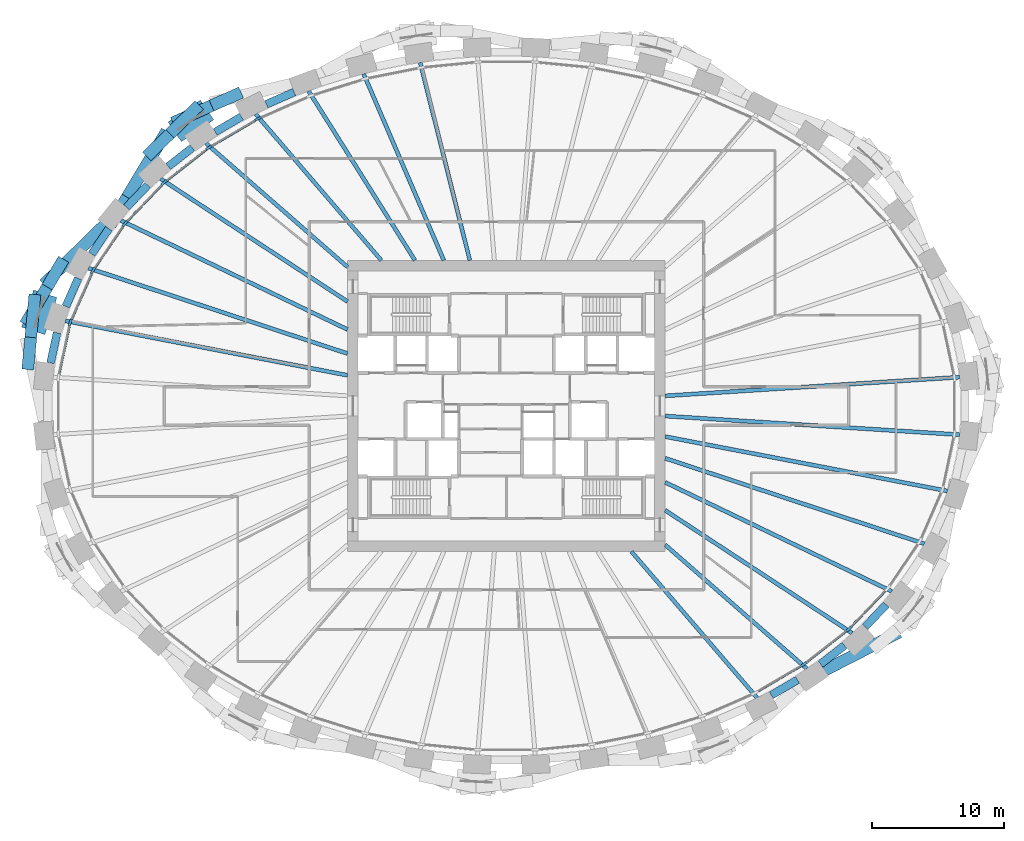
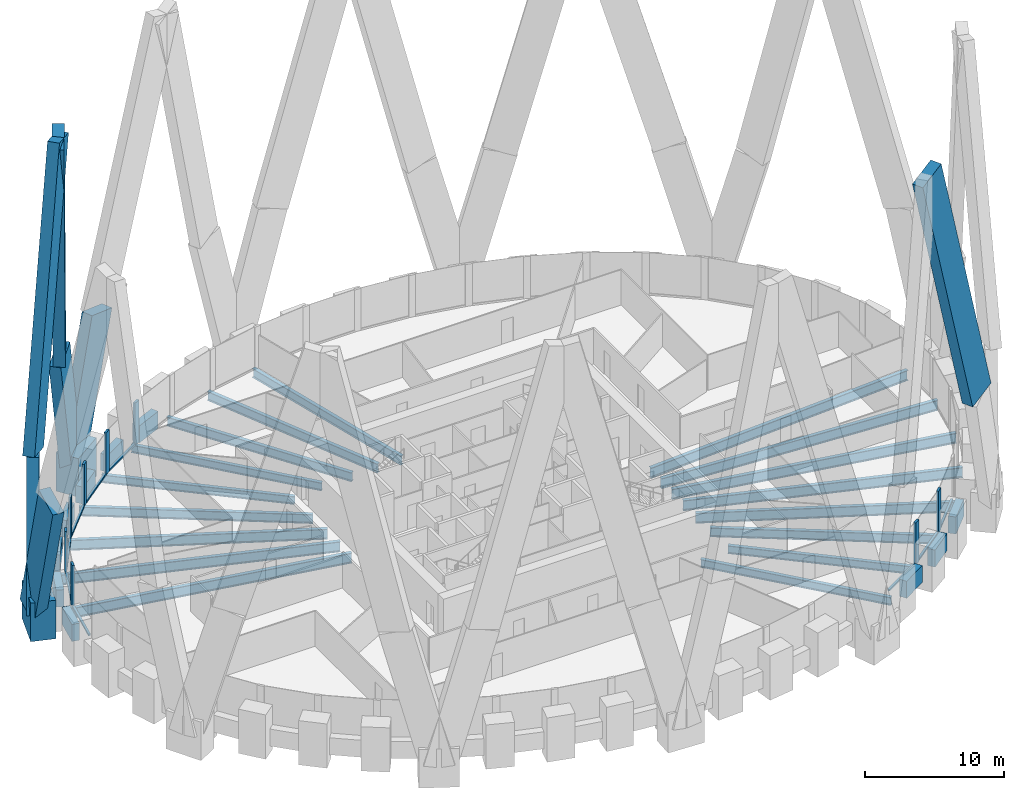
# One storey, part 3 of 12: 27 beams, 26 members, 1 element without a shape of its own.
"""IFC4 building model written with IfcOpenShell, lengths in metres."""

from ifc_helpers import new_model, si_unit, direction, frame, origin, origin_2d, place, context, subcontext, project, spatial, rectangle, i_section, extrude, source, transform, mapped, material, material_profile, profile_set, type_object, element, aggregate, save


model = new_model("IFC4")

# Units and contexts
model_context = context("Model", 3, precision=1e-05, world=origin(), true_north=direction((0.0, 1.0)))
body_context = subcontext(model_context, "Body", "Model", "MODEL_VIEW")
ifc_project = project(units=[si_unit("LENGTHUNIT", "METRE"), si_unit("AREAUNIT", "SQUARE_METRE"), si_unit("VOLUMEUNIT", "CUBIC_METRE"), si_unit("PLANEANGLEUNIT", "RADIAN"), si_unit("MASSUNIT", "GRAM", prefix="KILO")], contexts=[model_context])

# Site, building, storey
site_placement = place(None, origin())
site = spatial("IfcSite", under=ifc_project, at=site_placement, CompositionType="ELEMENT")
building_placement = place(site_placement, origin())
building = spatial("IfcBuilding", under=site, at=building_placement, Name="Embergate Tower", CompositionType="ELEMENT")
storey_placement = place(building_placement, frame((0.0, 0.0, 222.89990234375)))
storey = spatial("IfcBuildingStorey", under=building, at=storey_placement, Name="L51", CompositionType="ELEMENT", Elevation=222.89990234375)

# Beams
ifc_material_1 = material(Name="Concrete C60", Category="concrete")
ifc_material_profile_1 = material_profile(ifc_material_1, rectangle(XDim=0.60009765625, YDim=1.5, at=origin_2d()), Name="RC 600x1500")
ifc_profile_set_1 = profile_set([ifc_material_profile_1], Name="Concrete C60")
beam_type_1 = type_object("IfcBeamType", Name="Spandrel beam RC 600x1500 C60", PredefinedType="BEAM", material=ifc_profile_set_1)
shared_shape_1 = source(origin(), body_context, "Body", "SweptSolid", [
    extrude(rectangle(XDim=0.60009765625, YDim=1.5, at=origin_2d()), origin(), (0.0, 0.0, 1.0), 2.326171875),
])
beam_1_placement = place(storey_placement, frame((-33.947998046875, 5.527099609375, 0.0), z_axis=(-0.210224296762, -0.977653182397, 0.0), x_axis=(0.977653182397, -0.210224296762, 0.0)))
element("IfcBeam", 1, at=beam_1_placement, inside=storey, type_object=beam_type_1, Name="SPN-L51-20", PredefinedType="BEAM", context=body_context, shape_type="MappedRepresentation", body=[
    mapped(shared_shape_1, transform((0.0, 0.0, 0.0))),
])
shared_shape_2 = source(origin(), body_context, "Body", "SweptSolid", [
    extrude(rectangle(XDim=0.60009765625, YDim=1.5, at=origin_2d()), origin(), (0.0, 0.0, 1.0), 2.3193359375),
])
beam_2_placement = place(storey_placement, frame((-32.35107421875, 9.64306640625, 0.0), z_axis=(-0.401768353021, -0.915741333844, 0.0), x_axis=(0.915741333844, -0.401768353021, 0.0)))
element("IfcBeam", 2, at=beam_2_placement, inside=storey, type_object=beam_type_1, Name="SPN-L51-19", PredefinedType="BEAM", context=body_context, shape_type="MappedRepresentation", body=[
    mapped(shared_shape_2, transform((0.0, 0.0, 0.0))),
])
shared_shape_3 = source(origin(), body_context, "Body", "SweptSolid", [
    extrude(rectangle(XDim=0.60009765625, YDim=1.5, at=origin_2d()), origin(), (0.0, 0.0, 1.0), 2.315673828125),
])
beam_3_placement = place(storey_placement, frame((-30.032958984375, 13.39501953125, 0.0), z_axis=(-0.562243694996, -0.82697160014, 0.0), x_axis=(0.82697160014, -0.562243694996, 0.0)))
element("IfcBeam", 3, at=beam_3_placement, inside=storey, type_object=beam_type_1, Name="SPN-L51-18", PredefinedType="BEAM", context=body_context, shape_type="MappedRepresentation", body=[
    mapped(shared_shape_3, transform((0.0, 0.0, 0.0))),
])
shared_shape_4 = source(origin(), body_context, "Body", "SweptSolid", [
    extrude(rectangle(XDim=0.60009765625, YDim=1.5, at=origin_2d()), origin(), (0.0, 0.0, 1.0), 2.30712890625),
])
for number, where, z_axis, x_axis, name in (
    (4, (-27.10498046875, 16.68505859375, 0.0), (-0.690460646057, -0.723369958076, 0.0), (0.723369958076, -0.690460646057, 0.0), "SPN-L51-17"),
    (5, (27.10498046875, -16.68505859375, 0.0), (0.690460646057, 0.723369958076, 0.0), (-0.723369958076, 0.690460646057, 0.0), "SPN-L51-39"),
):
    element("IfcBeam", number, at=place(storey_placement, frame(where, z_axis=z_axis, x_axis=x_axis)), inside=storey, type_object=beam_type_1, Name=name, PredefinedType="BEAM", context=body_context, shape_type="MappedRepresentation", body=[
        mapped(shared_shape_4, transform((0.0, 0.0, 0.0))),
    ])
shared_shape_5 = source(origin(), body_context, "Body", "SweptSolid", [
    extrude(rectangle(XDim=0.60009765625, YDim=1.5, at=origin_2d()), origin(), (0.0, 0.0, 1.0), 2.30224609375),
])
for number, where, z_axis, x_axis, name in (
    (6, (-23.73388671875, 19.510986328125, 0.0), (-0.788466304813, -0.6150779513, 0.0), (0.6150779513, -0.788466304813, 0.0), "SPN-L51-16"),
    (7, (23.73388671875, -19.510986328125, 0.0), (0.788466304813, 0.6150779513, 0.0), (-0.6150779513, 0.788466304813, 0.0), "SPN-L51-38"),
):
    element("IfcBeam", number, at=place(storey_placement, frame(where, z_axis=z_axis, x_axis=x_axis)), inside=storey, type_object=beam_type_1, Name=name, PredefinedType="BEAM", context=body_context, shape_type="MappedRepresentation", body=[
        mapped(shared_shape_5, transform((0.0, 0.0, 0.0))),
    ])
shared_shape_6 = source(origin(), body_context, "Body", "SweptSolid", [
    extrude(rectangle(XDim=0.60009765625, YDim=1.5, at=origin_2d()), origin(), (0.0, 0.0, 1.0), 2.29931640625),
])
for number, where, z_axis, x_axis, name in (
    (8, (-20.014892578125, 21.85693359375, 0.0), (-0.86211432003, -0.506713823769, 0.0), (0.506713823769, -0.86211432003, 0.0), "SPN-L51-15"),
    (9, (20.014892578125, -21.85693359375, 0.0), (0.86211432003, 0.506713823769, 0.0), (-0.506713823769, 0.86211432003, 0.0), "SPN-L51-37"),
):
    element("IfcBeam", number, at=place(storey_placement, frame(where, z_axis=z_axis, x_axis=x_axis)), inside=storey, type_object=beam_type_1, Name=name, PredefinedType="BEAM", context=body_context, shape_type="MappedRepresentation", body=[
        mapped(shared_shape_6, transform((0.0, 0.0, 0.0))),
    ])
shared_shape_7 = source(origin(), body_context, "Body", "SweptSolid", [
    extrude(rectangle(XDim=0.60009765625, YDim=1.5, at=origin_2d()), origin(), (0.0, 0.0, 1.0), 2.294189453125),
])
beam_4_placement = place(storey_placement, frame((-16.033935546875, 23.712890625, 0.0), z_axis=(-0.916269649714, -0.400562016437, 0.0), x_axis=(0.400562016437, -0.916269649714, 0.0)))
element("IfcBeam", 10, at=beam_4_placement, inside=storey, type_object=beam_type_1, Name="SPN-L51-14", PredefinedType="BEAM", context=body_context, shape_type="MappedRepresentation", body=[
    mapped(shared_shape_7, transform((0.0, 0.0, 0.0))),
])
ifc_material_2 = material(Name="Steel Q355B", Category="steel")
ifc_material_profile_2 = material_profile(ifc_material_2, i_section(OverallWidth=0.300048828125, OverallDepth=0.89990234375, WebThickness=0.01611328125, FlangeThickness=0.028076171875, FilletRadius=0.028076171875, at=origin_2d()), Name="HN 900x300x16x28")
ifc_profile_set_2 = profile_set([ifc_material_profile_2], Name="Steel Q355 grade B")
beam_type_2 = type_object("IfcBeamType", Name="Radial girder HN 900x300x16x28", PredefinedType="BEAM", material=ifc_profile_set_2)
shared_shape_8 = source(origin(), body_context, "Body", "SweptSolid", [
    extrude(i_section(OverallWidth=0.300048828125, OverallDepth=0.89990234375, WebThickness=0.01611328125, FlangeThickness=0.028076171875, FilletRadius=0.028076171875, at=origin_2d()), origin(), (0.0, 0.0, 1.0), 22.283935546875),
])
for number, where, z_axis, x_axis, name in (
    (11, (34.239013671875, 2.175048828125, -0.64990234375), (-0.997987372241, -0.063412970662, 0.0), (0.063412970662, -0.997987372241, 0.0), "GIR-L51-00"),
    (12, (34.239013671875, -2.175048828125, -0.64990234375), (-0.997987372241, 0.063412970662, 0.0), (-0.063412970662, -0.997987372241, 0.0), "GIR-L51-43"),
):
    element("IfcBeam", number, at=place(storey_placement, frame(where, z_axis=z_axis, x_axis=x_axis)), inside=storey, type_object=beam_type_2, Name=name, PredefinedType="BEAM", context=body_context, shape_type="MappedRepresentation", body=[
        mapped(shared_shape_8, transform((0.0, 0.0, 0.0))),
    ])
shared_shape_9 = source(origin(), body_context, "Body", "SweptSolid", [
    extrude(i_section(OverallWidth=0.300048828125, OverallDepth=0.89990234375, WebThickness=0.01611328125, FlangeThickness=0.028076171875, FilletRadius=0.028076171875, at=origin_2d()), origin(), (0.0, 0.0, 1.0), 21.717041015625),
])
for number, where, z_axis, x_axis, name in (
    (13, (-33.323974609375, 6.427978515625, -0.64990234375), (0.981901494291, -0.189392332234, 0.0), (0.189392332234, 0.981901494291, 0.0), "GIR-L51-20"),
    (14, (33.323974609375, -6.427978515625, -0.64990234375), (-0.981901494291, 0.189392332234, 0.0), (-0.189392332234, -0.981901494291, 0.0), "GIR-L51-42"),
):
    element("IfcBeam", number, at=place(storey_placement, frame(where, z_axis=z_axis, x_axis=x_axis)), inside=storey, type_object=beam_type_2, Name=name, PredefinedType="BEAM", context=body_context, shape_type="MappedRepresentation", body=[
        mapped(shared_shape_9, transform((0.0, 0.0, 0.0))),
    ])
shared_shape_10 = source(origin(), body_context, "Body", "SweptSolid", [
    extrude(i_section(OverallWidth=0.300048828125, OverallDepth=0.89990234375, WebThickness=0.01611328125, FlangeThickness=0.028076171875, FilletRadius=0.028076171875, at=origin_2d()), origin(), (0.0, 0.0, 1.0), 20.614013671875),
])
for number, where, z_axis, x_axis, name in (
    (15, (-31.576904296875, 10.4130859375, -0.64990234375), (0.949691049508, -0.313188298767, 0.0), (0.313188298767, 0.949691049508, 0.0), "GIR-L51-19"),
    (16, (31.576904296875, -10.4130859375, -0.64990234375), (-0.949691049508, 0.313188298767, 0.0), (-0.313188298767, -0.949691049508, 0.0), "GIR-L51-41"),
):
    element("IfcBeam", number, at=place(storey_placement, frame(where, z_axis=z_axis, x_axis=x_axis)), inside=storey, type_object=beam_type_2, Name=name, PredefinedType="BEAM", context=body_context, shape_type="MappedRepresentation", body=[
        mapped(shared_shape_10, transform((0.0, 0.0, 0.0))),
    ])
shared_shape_11 = source(origin(), body_context, "Body", "SweptSolid", [
    extrude(i_section(OverallWidth=0.300048828125, OverallDepth=0.89990234375, WebThickness=0.01611328125, FlangeThickness=0.028076171875, FilletRadius=0.028076171875, at=origin_2d()), origin(), (0.0, 0.0, 1.0), 19.0078125),
])
for number, where, z_axis, x_axis, name in (
    (17, (-29.12890625, 14.012939453125, -0.64990234375), (0.901150926949, -0.433505486538, 0.0), (0.433505486538, 0.901150926949, 0.0), "GIR-L51-18"),
    (18, (29.12890625, -14.012939453125, -0.64990234375), (-0.901150926949, 0.433505486538, 0.0), (-0.433505486538, -0.901150926949, 0.0), "GIR-L51-40"),
):
    element("IfcBeam", number, at=place(storey_placement, frame(where, z_axis=z_axis, x_axis=x_axis)), inside=storey, type_object=beam_type_2, Name=name, PredefinedType="BEAM", context=body_context, shape_type="MappedRepresentation", body=[
        mapped(shared_shape_11, transform((0.0, 0.0, 0.0))),
    ])
ifc_material_profile_3 = material_profile(ifc_material_2, i_section(OverallWidth=0.300048828125, OverallDepth=0.800048828125, WebThickness=0.013916015625, FlangeThickness=0.02587890625, FilletRadius=0.028076171875, at=origin_2d()), Name="HN 800x300x14x26")
ifc_profile_set_3 = profile_set([ifc_material_profile_3], Name="Steel Q355 grade B")
beam_type_3 = type_object("IfcBeamType", Name="Radial girder HN 800x300x14x26", PredefinedType="BEAM", material=ifc_profile_set_3)
shared_shape_12 = source(origin(), body_context, "Body", "SweptSolid", [
    extrude(i_section(OverallWidth=0.300048828125, OverallDepth=0.800048828125, WebThickness=0.013916015625, FlangeThickness=0.02587890625, FilletRadius=0.028076171875, at=origin_2d()), origin(), (0.0, 0.0, 1.0), 16.89990234375),
])
for number, where, z_axis, x_axis, name in (
    (19, (-26.1240234375, 17.1640625, -0.599853515625), (0.83574544769, -0.549117060986, 0.0), (0.549117060986, 0.83574544769, 0.0), "GIR-L51-17"),
    (20, (26.1240234375, -17.1640625, -0.599853515625), (-0.83574544769, 0.549117060986, 0.0), (-0.549117060986, -0.83574544769, 0.0), "GIR-L51-39"),
):
    element("IfcBeam", number, at=place(storey_placement, frame(where, z_axis=z_axis, x_axis=x_axis)), inside=storey, type_object=beam_type_3, Name=name, PredefinedType="BEAM", context=body_context, shape_type="MappedRepresentation", body=[
        mapped(shared_shape_12, transform((0.0, 0.0, 0.0))),
    ])
ifc_material_profile_4 = material_profile(ifc_material_2, i_section(OverallWidth=0.300048828125, OverallDepth=0.699951171875, WebThickness=0.012939453125, FlangeThickness=0.02392578125, FilletRadius=0.01806640625, at=origin_2d()), Name="HN 700x300x13x24")
ifc_profile_set_4 = profile_set([ifc_material_profile_4], Name="Steel Q355 grade B")
beam_type_4 = type_object("IfcBeamType", Name="Radial girder HN 700x300x13x24", PredefinedType="BEAM", material=ifc_profile_set_4)
shared_shape_13 = source(origin(), body_context, "Body", "SweptSolid", [
    extrude(i_section(OverallWidth=0.300048828125, OverallDepth=0.699951171875, WebThickness=0.012939453125, FlangeThickness=0.02392578125, FilletRadius=0.01806640625, at=origin_2d()), origin(), (0.0, 0.0, 1.0), 14.2021484375),
])
for number, where, z_axis, x_axis, name in (
    (21, (-22.69091796875, 19.843017578125, -0.5498046875), (0.752766213958, -0.658287951525, 0.0), (0.658287951525, 0.752766213958, 0.0), "GIR-L51-16"),
    (22, (22.69091796875, -19.843017578125, -0.5498046875), (-0.752766213958, 0.658287951525, 0.0), (-0.658287951525, -0.752766213958, 0.0), "GIR-L51-38"),
):
    element("IfcBeam", number, at=place(storey_placement, frame(where, z_axis=z_axis, x_axis=x_axis)), inside=storey, type_object=beam_type_4, Name=name, PredefinedType="BEAM", context=body_context, shape_type="MappedRepresentation", body=[
        mapped(shared_shape_13, transform((0.0, 0.0, 0.0))),
    ])
shared_shape_14 = source(origin(), body_context, "Body", "SweptSolid", [
    extrude(i_section(OverallWidth=0.300048828125, OverallDepth=0.699951171875, WebThickness=0.012939453125, FlangeThickness=0.02392578125, FilletRadius=0.01806640625, at=origin_2d()), origin(), (0.0, 0.0, 1.0), 14.566650390625),
])
for number, where, z_axis, x_axis, name in (
    (23, (-18.93603515625, 22.051025390625, -0.5498046875), (0.651490890216, -0.758656457144, 0.0), (0.758656457144, 0.651490890216, 0.0), "GIR-L51-15"),
    (24, (18.93603515625, -22.051025390625, -0.5498046875), (-0.651490890216, 0.758656457144, 0.0), (-0.758656457144, -0.651490890216, 0.0), "GIR-L51-37"),
):
    element("IfcBeam", number, at=place(storey_placement, frame(where, z_axis=z_axis, x_axis=x_axis)), inside=storey, type_object=beam_type_4, Name=name, PredefinedType="BEAM", context=body_context, shape_type="MappedRepresentation", body=[
        mapped(shared_shape_14, transform((0.0, 0.0, 0.0))),
    ])
shared_shape_15 = source(origin(), body_context, "Body", "SweptSolid", [
    extrude(i_section(OverallWidth=0.300048828125, OverallDepth=0.800048828125, WebThickness=0.013916015625, FlangeThickness=0.02587890625, FilletRadius=0.028076171875, at=origin_2d()), origin(), (0.0, 0.0, 1.0), 15.111572265625),
])
beam_5_placement = place(storey_placement, frame((-14.945068359375, 23.797119140625, -0.599853515625), z_axis=(0.531849241283, -0.846839054689, 0.0), x_axis=(0.846839054689, 0.531849241283, 0.0)))
element("IfcBeam", 25, at=beam_5_placement, inside=storey, type_object=beam_type_3, Name="GIR-L51-14", PredefinedType="BEAM", context=body_context, shape_type="MappedRepresentation", body=[
    mapped(shared_shape_15, transform((0.0, 0.0, 0.0))),
])
shared_shape_16 = source(origin(), body_context, "Body", "SweptSolid", [
    extrude(i_section(OverallWidth=0.300048828125, OverallDepth=0.800048828125, WebThickness=0.013916015625, FlangeThickness=0.02587890625, FilletRadius=0.028076171875, at=origin_2d()), origin(), (0.0, 0.0, 1.0), 15.338623046875),
])
beam_6_placement = place(storey_placement, frame((-10.784912109375, 25.092041015625, -0.599853515625), z_axis=(0.394879579292, -0.91873288711, 0.0), x_axis=(0.91873288711, 0.394879579292, 0.0)))
element("IfcBeam", 26, at=beam_6_placement, inside=storey, type_object=beam_type_3, Name="GIR-L51-13", PredefinedType="BEAM", context=body_context, shape_type="MappedRepresentation", body=[
    mapped(shared_shape_16, transform((0.0, 0.0, 0.0))),
])
shared_shape_17 = source(origin(), body_context, "Body", "SweptSolid", [
    extrude(i_section(OverallWidth=0.300048828125, OverallDepth=0.800048828125, WebThickness=0.013916015625, FlangeThickness=0.02587890625, FilletRadius=0.028076171875, at=origin_2d()), origin(), (0.0, 0.0, 1.0), 15.412841796875),
])
beam_7_placement = place(storey_placement, frame((-6.513916015625, 25.948974609375, -0.599853515625), z_axis=(0.243493364417, -0.969902562882, 0.0), x_axis=(0.969902562882, 0.243493364417, 0.0)))
element("IfcBeam", 27, at=beam_7_placement, inside=storey, type_object=beam_type_3, Name="GIR-L51-12", PredefinedType="BEAM", context=body_context, shape_type="MappedRepresentation", body=[
    mapped(shared_shape_17, transform((0.0, 0.0, 0.0))),
])

# Members
ifc_material_3 = material(Name="Concrete C70", Category="concrete")
ifc_material_profile_5 = material_profile(ifc_material_3, rectangle(XDim=1.800048828125, YDim=2.949951171875, at=origin_2d()), Name="RC 1800x2950")
ifc_profile_set_5 = profile_set([ifc_material_profile_5], Name="Concrete C70")
member_type_1 = type_object("IfcMemberType", Name="Lattice node block RC 1800x2950", PredefinedType="POST", material=ifc_profile_set_5)
shared_shape_18 = source(origin(), body_context, "Body", "SweptSolid", [
    extrude(rectangle(XDim=1.800048828125, YDim=2.949951171875, at=origin_2d()), origin(), (0.0, 0.0, 1.0), 3.400146484375),
])
member_1_placement = place(storey_placement, frame((-23.840087890625, 21.5419921875, -1.699951171875), z_axis=(0.0, 0.0, 1.0), x_axis=(-0.560393279442, 0.828226643109, 0.0)))
element("IfcMember", 28, at=member_1_placement, inside=storey, type_object=member_type_1, Name="NOD-L51-16", PredefinedType="POST", context=body_context, shape_type="MappedRepresentation", body=[
    mapped(shared_shape_18, transform((0.0, 0.0, 0.0))),
])
ifc_material_profile_6 = material_profile(ifc_material_3, rectangle(XDim=1.85009765625, YDim=2.949951171875, at=origin_2d()), Name="RC 1850x2950")
ifc_profile_set_6 = profile_set([ifc_material_profile_6], Name="Concrete C70")
member_type_2 = type_object("IfcMemberType", Name="Lattice node block RC 1850x2950", PredefinedType="POST", material=ifc_profile_set_6)
shared_shape_19 = source(origin(), body_context, "Body", "SweptSolid", [
    extrude(rectangle(XDim=1.85009765625, YDim=2.949951171875, at=origin_2d()), origin(), (0.0, 0.0, 1.0), 3.400146484375),
])
member_2_placement = place(storey_placement, frame((-35.297119140625, 7.071044921875, -1.699951171875), z_axis=(0.0, 0.0, 1.0), x_axis=(-0.950754033697, 0.309946394413, 0.0)))
element("IfcMember", 29, at=member_2_placement, inside=storey, type_object=member_type_2, Name="NOD-L51-20", PredefinedType="POST", context=body_context, shape_type="MappedRepresentation", body=[
    mapped(shared_shape_19, transform((0.0, 0.0, 0.0))),
])
ifc_material_profile_7 = material_profile(ifc_material_3, rectangle(XDim=0.89990234375, YDim=2.530029296875, at=origin_2d()), Name="RC 900x2530")
ifc_profile_set_7 = profile_set([ifc_material_profile_7], Name="Concrete C70")
member_type_3 = type_object("IfcMemberType", Name="Lattice diagonal terracotta-faced RC 900x2530", PredefinedType="BRACE", material=ifc_profile_set_7)
shared_shape_20 = source(origin(), body_context, "Body", "SweptSolid", [
    extrude(rectangle(XDim=0.89990234375, YDim=2.530029296875, at=origin_2d()), origin(), (0.0, 0.0, 1.0), 12.12744140625),
])
member_3_placement = place(storey_placement, frame((-24.076904296875, 21.89306640625, 0.0), z_axis=(0.240527960491, 0.106615004918, 0.964769164593), x_axis=(-0.405229537337, 0.914214975851, 0.0)))
element("IfcMember", 30, at=member_3_placement, inside=storey, type_object=member_type_3, Name="BRC-L51-16-14-S00", PredefinedType="BRACE", context=body_context, shape_type="MappedRepresentation", body=[
    mapped(shared_shape_20, transform((0.0, 0.0, 0.0))),
])
shared_shape_21 = source(origin(), body_context, "Body", "SweptSolid", [
    extrude(rectangle(XDim=0.89990234375, YDim=2.530029296875, at=origin_2d()), origin(), (0.0, 0.0, 1.0), 12.10791015625),
])
member_4_placement = place(storey_placement, frame((-24.076904296875, 21.89306640625, 0.0), z_axis=(-0.183532104845, -0.1803058758, 0.966336254956), x_axis=(0.70080916352, -0.713348804111, 0.0)))
element("IfcMember", 31, at=member_4_placement, inside=storey, type_object=member_type_3, Name="BRC-L51-16-18-S00", PredefinedType="BRACE", context=body_context, shape_type="MappedRepresentation", body=[
    mapped(shared_shape_21, transform((0.0, 0.0, 0.0))),
])
shared_shape_22 = source(origin(), body_context, "Body", "SweptSolid", [
    extrude(rectangle(XDim=0.89990234375, YDim=2.530029296875, at=origin_2d()), origin(), (0.0, 0.0, 1.0), 23.91748046875),
])
member_5_placement = place(storey_placement, frame((-26.299072265625, 19.7099609375, 11.7001953125), z_axis=(-0.125175628485, -0.208418493224, 0.969996285413), x_axis=(0.857266860393, -0.514872343471, 0.0)))
element("IfcMember", 32, at=member_5_placement, inside=storey, type_object=member_type_3, Name="BRC-L51-16-18-S01", PredefinedType="BRACE", context=body_context, shape_type="MappedRepresentation", body=[
    mapped(shared_shape_22, transform((0.0, 0.0, 0.0))),
])
shared_shape_23 = source(origin(), body_context, "Body", "SweptSolid", [
    extrude(rectangle(XDim=0.89990234375, YDim=2.530029296875, at=origin_2d()), origin(), (0.0, 0.0, 1.0), 12.14990234375),
])
member_6_placement = place(storey_placement, frame((-35.740966796875, 7.216064453125, 0.0), z_axis=(0.136960122957, 0.232185184972, 0.962980770628), x_axis=(-0.861316557084, 0.508068684819, 0.0)))
element("IfcMember", 33, at=member_6_placement, inside=storey, type_object=member_type_3, Name="BRC-L51-20-18-S00", PredefinedType="BRACE", context=body_context, shape_type="MappedRepresentation", body=[
    mapped(shared_shape_23, transform((0.0, 0.0, 0.0))),
])
shared_shape_24 = source(origin(), body_context, "Body", "SweptSolid", [
    extrude(rectangle(XDim=0.89990234375, YDim=2.530029296875, at=origin_2d()), origin(), (0.0, 0.0, 1.0), 24.1474609375),
])
member_7_placement = place(storey_placement, frame((-34.076904296875, 10.037109375, 11.7001953125), z_axis=(0.198113204972, 0.194139819437, 0.960760578149), x_axis=(-0.699908129753, 0.714232882123, 0.0)))
element("IfcMember", 34, at=member_7_placement, inside=storey, type_object=member_type_3, Name="BRC-L51-20-18-S01", PredefinedType="BRACE", context=body_context, shape_type="MappedRepresentation", body=[
    mapped(shared_shape_24, transform((0.0, 0.0, 0.0))),
])
shared_shape_25 = source(origin(), body_context, "Body", "SweptSolid", [
    extrude(rectangle(XDim=0.89990234375, YDim=2.530029296875, at=origin_2d()), origin(), (0.0, 0.0, 1.0), 12.14599609375),
])
member_8_placement = place(storey_placement, frame((-35.740966796875, 7.216064453125, 0.0), z_axis=(-0.02552741236, -0.267253917117, 0.963287960583), x_axis=(0.995469187947, -0.095084677248, 0.0)))
element("IfcMember", 35, at=member_8_placement, inside=storey, type_object=member_type_3, Name="BRC-L51-20-22-S00", PredefinedType="BRACE", context=body_context, shape_type="MappedRepresentation", body=[
    mapped(shared_shape_25, transform((0.0, 0.0, 0.0))),
])
shared_shape_26 = source(origin(), body_context, "Body", "SweptSolid", [
    extrude(rectangle(XDim=0.89990234375, YDim=2.530029296875, at=origin_2d()), origin(), (0.0, 0.0, 1.0), 24.123779296875),
])
member_9_placement = place(storey_placement, frame((28.5810546875, -17.657958984375, 11.7001953125), z_axis=(-0.244122644668, -0.124611645958, 0.961704773853), x_axis=(0.454641932219, -0.890674302688, 0.0)))
element("IfcMember", 36, at=member_9_placement, inside=storey, type_object=member_type_3, Name="BRC-L51-40-38-S01", PredefinedType="BRACE", context=body_context, shape_type="MappedRepresentation", body=[
    mapped(shared_shape_26, transform((0.0, 0.0, 0.0))),
])

# Curtain wall, members
ifc_material_4 = material(Name="Aluminium and glass", Category="aluminium")
curtain_wall_type = type_object("IfcCurtainWallType", Name="Recessed office glazing", PredefinedType="NOTDEFINED", material=ifc_material_4)
curtain_wall_placement = place(storey_placement, origin())
curtain_wall = element("IfcCurtainWall", 37, at=curtain_wall_placement, inside=storey, type_object=curtain_wall_type, Name="Recessed office glazing ring", ObjectType="RECESSED OFFICE GLAZING", PredefinedType="USERDEFINED")
ifc_material_5 = material(Name="Aluminium, thermally broken", Category="aluminium")
ifc_material_profile_8 = material_profile(ifc_material_5, rectangle(XDim=0.179931640625, YDim=0.52001953125, at=origin_2d()), Name="AL 520x180")
ifc_profile_set_8 = profile_set([ifc_material_profile_8], Name="Aluminium, thermally broken")
member_type_4 = type_object("IfcMemberType", Name="Office mullion", PredefinedType="MULLION", material=ifc_profile_set_8)
shared_shape_27 = source(origin(), body_context, "Body", "SweptSolid", [
    extrude(rectangle(XDim=0.179931640625, YDim=0.52001953125, at=origin_2d()), origin(), (0.0, 0.0, 1.0), 3.7001953125),
])
member_10_placement = place(storey_placement, frame((-18.759521484375, 21.70361328125, 0.0), z_axis=(0.0, 0.0, 1.0), x_axis=(0.454512935162, -0.89074013706, 0.0)))
member_10 = element("IfcMember", 38, at=member_10_placement, type_object=member_type_4, Name="CW mullion 16", PredefinedType="MULLION", context=body_context, shape_type="MappedRepresentation", body=[
    mapped(shared_shape_27, transform((0.0, 0.0, 0.0))),
])
member_11_placement = place(storey_placement, frame((-22.472412109375, 19.520751953125, 0.0), z_axis=(0.0, 0.0, 1.0), x_axis=(0.562219061911, -0.826988347211, 0.0)))
member_11 = element("IfcMember", 39, at=member_11_placement, type_object=member_type_4, Name="CW mullion 17", PredefinedType="MULLION", context=body_context, shape_type="MappedRepresentation", body=[
    mapped(shared_shape_27, transform((0.0, 0.0, 0.0))),
])
member_12_placement = place(storey_placement, frame((-25.86279296875, 16.87451171875, 0.0), z_axis=(0.0, 0.0, 1.0), x_axis=(0.671227827685, -0.741251106806, 0.0)))
member_12 = element("IfcMember", 40, at=member_12_placement, type_object=member_type_4, Name="CW mullion 18", PredefinedType="MULLION", context=body_context, shape_type="MappedRepresentation", body=[
    mapped(shared_shape_27, transform((0.0, 0.0, 0.0))),
])
member_13_placement = place(storey_placement, frame((-28.826171875, 13.76708984375, 0.0), z_axis=(0.0, 0.0, 1.0), x_axis=(0.777872564355, -0.628422050555, 0.0)))
member_13 = element("IfcMember", 41, at=member_13_placement, type_object=member_type_4, Name="CW mullion 19", PredefinedType="MULLION", context=body_context, shape_type="MappedRepresentation", body=[
    mapped(shared_shape_27, transform((0.0, 0.0, 0.0))),
])
member_14_placement = place(storey_placement, frame((-31.23583984375, 10.2236328125, 0.0), z_axis=(0.0, 0.0, 1.0), x_axis=(0.875001050883, -0.484121018914, 0.0)))
member_14 = element("IfcMember", 42, at=member_14_placement, type_object=member_type_4, Name="CW mullion 20", PredefinedType="MULLION", context=body_context, shape_type="MappedRepresentation", body=[
    mapped(shared_shape_27, transform((0.0, 0.0, 0.0))),
])
member_15_placement = place(storey_placement, frame((-32.953369140625, 6.307373046875, 0.0), z_axis=(0.0, 0.0, 1.0), x_axis=(0.951497261031, -0.307657215503, 0.0)))
member_15 = element("IfcMember", 43, at=member_15_placement, type_object=member_type_4, Name="CW mullion 21", PredefinedType="MULLION", context=body_context, shape_type="MappedRepresentation", body=[
    mapped(shared_shape_27, transform((0.0, 0.0, 0.0))),
])
member_16_placement = place(storey_placement, frame((22.472412109375, -19.520751953125, 0.0), z_axis=(0.0, 0.0, 1.0), x_axis=(-0.562219061911, 0.826988347211, 0.0)))
member_16 = element("IfcMember", 44, at=member_16_placement, type_object=member_type_4, Name="CW mullion 39", PredefinedType="MULLION", context=body_context, shape_type="MappedRepresentation", body=[
    mapped(shared_shape_27, transform((0.0, 0.0, 0.0))),
])
member_17_placement = place(storey_placement, frame((25.86279296875, -16.87451171875, 0.0), z_axis=(0.0, 0.0, 1.0), x_axis=(-0.671227827685, 0.741251106806, 0.0)))
member_17 = element("IfcMember", 45, at=member_17_placement, type_object=member_type_4, Name="CW mullion 40", PredefinedType="MULLION", context=body_context, shape_type="MappedRepresentation", body=[
    mapped(shared_shape_27, transform((0.0, 0.0, 0.0))),
])
ifc_material_profile_9 = material_profile(ifc_material_5, rectangle(XDim=0.179931640625, YDim=0.14990234375, at=origin_2d()), Name="AL 150x180")
ifc_profile_set_9 = profile_set([ifc_material_profile_9], Name="Aluminium, thermally broken")
member_type_5 = type_object("IfcMemberType", Name="Office sill transom", PredefinedType="USERDEFINED", material=ifc_profile_set_9)
shared_shape_28 = source(origin(), body_context, "Body", "SweptSolid", [
    extrude(rectangle(XDim=0.179931640625, YDim=0.14990234375, at=origin_2d()), origin(), (0.0, 0.0, 1.0), 3.74951171875),
])
member_18_placement = place(storey_placement, frame((-33.008056640625, 6.05322265625, 0.0751953125), z_axis=(-0.210445024694, -0.977605693305, 0.0), x_axis=(0.977605693305, -0.210445024694, 0.0)))
member_18 = element("IfcMember", 46, at=member_18_placement, type_object=member_type_5, Name="CW transom 21.1", ObjectType="TRANSOM", PredefinedType="USERDEFINED", context=body_context, shape_type="MappedRepresentation", body=[
    mapped(shared_shape_28, transform((0.0, 0.0, 0.0))),
])
shared_shape_29 = source(origin(), body_context, "Body", "SweptSolid", [
    extrude(rectangle(XDim=0.179931640625, YDim=0.14990234375, at=origin_2d()), origin(), (0.0, 0.0, 1.0), 3.756591796875),
])
member_19_placement = place(storey_placement, frame((-31.340087890625, 9.985595703125, 0.0751953125), z_axis=(-0.401647151286, -0.9157944998, 0.0), x_axis=(0.9157944998, -0.401647151286, 0.0)))
member_19 = element("IfcMember", 47, at=member_19_placement, type_object=member_type_5, Name="CW transom 20.1", ObjectType="TRANSOM", PredefinedType="USERDEFINED", context=body_context, shape_type="MappedRepresentation", body=[
    mapped(shared_shape_29, transform((0.0, 0.0, 0.0))),
])
shared_shape_30 = source(origin(), body_context, "Body", "SweptSolid", [
    extrude(rectangle(XDim=0.179931640625, YDim=0.14990234375, at=origin_2d()), origin(), (0.0, 0.0, 1.0), 3.764892578125),
])
member_20_placement = place(storey_placement, frame((-28.972412109375, 13.552001953125, 0.0751953125), z_axis=(-0.562338399761, -0.826907204077, 0.0), x_axis=(0.826907204077, -0.562338399761, 0.0)))
member_20 = element("IfcMember", 48, at=member_20_placement, type_object=member_type_5, Name="CW transom 19.1", ObjectType="TRANSOM", PredefinedType="USERDEFINED", context=body_context, shape_type="MappedRepresentation", body=[
    mapped(shared_shape_30, transform((0.0, 0.0, 0.0))),
])
shared_shape_31 = source(origin(), body_context, "Body", "SweptSolid", [
    extrude(rectangle(XDim=0.179931640625, YDim=0.14990234375, at=origin_2d()), origin(), (0.0, 0.0, 1.0), 3.773681640625),
])
member_21_placement = place(storey_placement, frame((-26.042236328125, 16.686279296875, 0.0751953125), z_axis=(-0.690118677227, -0.723696214818, 0.0), x_axis=(0.723696214818, -0.690118677227, 0.0)))
member_21 = element("IfcMember", 49, at=member_21_placement, type_object=member_type_5, Name="CW transom 18.1", ObjectType="TRANSOM", PredefinedType="USERDEFINED", context=body_context, shape_type="MappedRepresentation", body=[
    mapped(shared_shape_31, transform((0.0, 0.0, 0.0))),
])
member_22_placement = place(storey_placement, frame((26.042236328125, -16.686279296875, 0.0751953125), z_axis=(0.690118677227, 0.723696214818, 0.0), x_axis=(-0.723696214818, 0.690118677227, 0.0)))
member_22 = element("IfcMember", 50, at=member_22_placement, type_object=member_type_5, Name="CW transom 40.1", ObjectType="TRANSOM", PredefinedType="USERDEFINED", context=body_context, shape_type="MappedRepresentation", body=[
    mapped(shared_shape_31, transform((0.0, 0.0, 0.0))),
])
shared_shape_32 = source(origin(), body_context, "Body", "SweptSolid", [
    extrude(rectangle(XDim=0.179931640625, YDim=0.14990234375, at=origin_2d()), origin(), (0.0, 0.0, 1.0), 3.781005859375),
])
member_23_placement = place(storey_placement, frame((-22.67724609375, 19.36083984375, 0.0751953125), z_axis=(-0.788315019644, -0.615271834073, 0.0), x_axis=(0.615271834073, -0.788315019644, 0.0)))
member_23 = element("IfcMember", 51, at=member_23_placement, type_object=member_type_5, Name="CW transom 17.1", ObjectType="TRANSOM", PredefinedType="USERDEFINED", context=body_context, shape_type="MappedRepresentation", body=[
    mapped(shared_shape_32, transform((0.0, 0.0, 0.0))),
])
member_24_placement = place(storey_placement, frame((22.67724609375, -19.36083984375, 0.0751953125), z_axis=(0.788315019644, 0.615271834073, 0.0), x_axis=(-0.615271834073, 0.788315019644, 0.0)))
member_24 = element("IfcMember", 52, at=member_24_placement, type_object=member_type_5, Name="CW transom 39.1", ObjectType="TRANSOM", PredefinedType="USERDEFINED", context=body_context, shape_type="MappedRepresentation", body=[
    mapped(shared_shape_32, transform((0.0, 0.0, 0.0))),
])
shared_shape_33 = source(origin(), body_context, "Body", "SweptSolid", [
    extrude(rectangle(XDim=0.179931640625, YDim=0.14990234375, at=origin_2d()), origin(), (0.0, 0.0, 1.0), 3.786865234375),
])
member_25_placement = place(storey_placement, frame((-18.9833984375, 21.57177734375, 0.0751953125), z_axis=(-0.862071738168, -0.506786264862, 0.0), x_axis=(0.506786264862, -0.862071738168, 0.0)))
member_25 = element("IfcMember", 53, at=member_25_placement, type_object=member_type_5, Name="CW transom 16.1", ObjectType="TRANSOM", PredefinedType="USERDEFINED", context=body_context, shape_type="MappedRepresentation", body=[
    mapped(shared_shape_33, transform((0.0, 0.0, 0.0))),
])
member_26_placement = place(storey_placement, frame((18.9833984375, -21.57177734375, 0.0751953125), z_axis=(0.862071738168, 0.506786264862, 0.0), x_axis=(-0.506786264862, 0.862071738168, 0.0)))
member_26 = element("IfcMember", 54, at=member_26_placement, type_object=member_type_5, Name="CW transom 38.1", ObjectType="TRANSOM", PredefinedType="USERDEFINED", context=body_context, shape_type="MappedRepresentation", body=[
    mapped(shared_shape_33, transform((0.0, 0.0, 0.0))),
])
aggregate(curtain_wall, [member_10, member_11, member_12, member_13, member_14, member_15, member_16, member_17, member_25, member_23, member_21, member_20, member_19, member_18, member_26, member_24, member_22])

save(model, "model.ifc")
